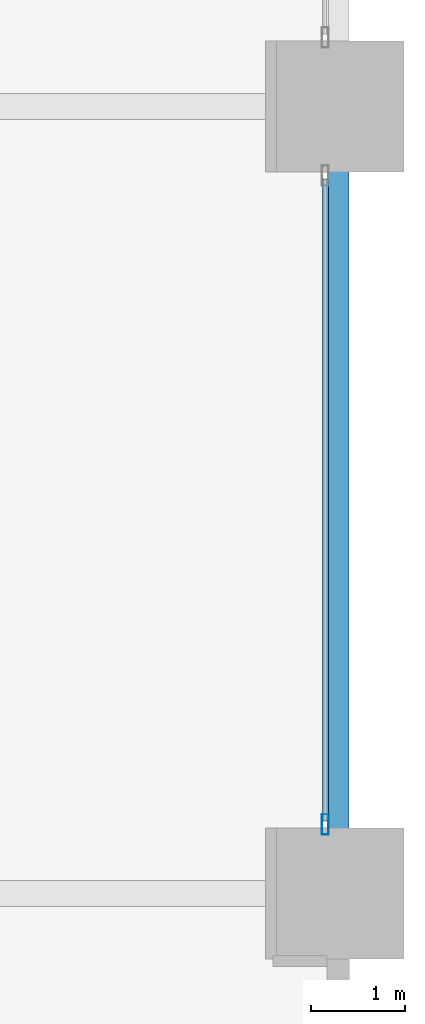
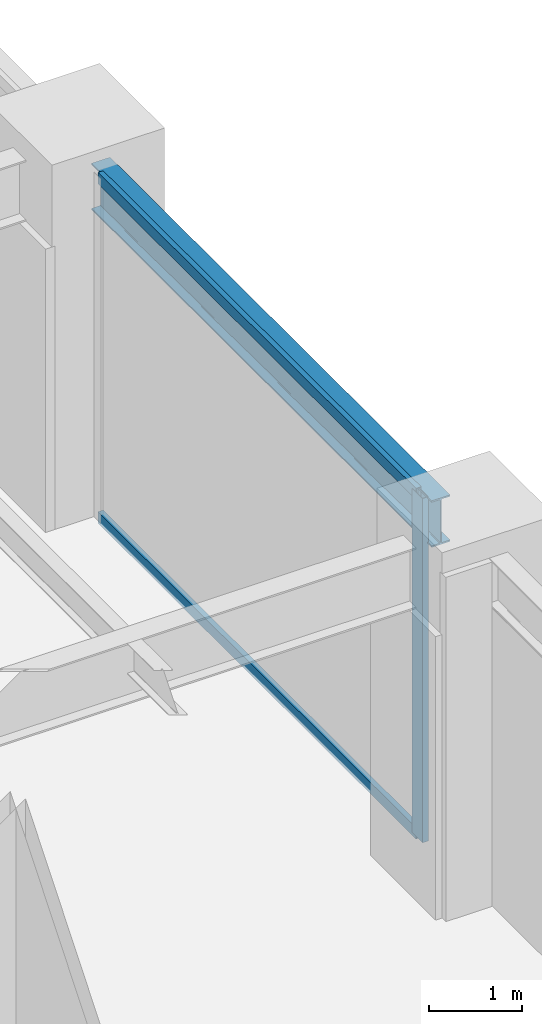
# One storey, part 6 of 24: 3 members, 1 beam, 1 element without a shape of its own.
"""IFC4 building model written with IfcOpenShell, lengths in metres."""

from ifc_helpers import new_model, si_unit, direction, frame, origin, origin_2d, place, context, subcontext, project, spatial, hollow_rectangle, i_section, extrude, material, layer, layer_set, material_profile, profile_set, type_object, element, aggregate, save


model = new_model("IFC4")

# Units and contexts
model_context = context("Model", 3, precision=1e-05, world=origin(), true_north=direction((0.0, 1.0)))
body_context = subcontext(model_context, "Body", "Model", "MODEL_VIEW")
ifc_project = project(units=[si_unit("LENGTHUNIT", "METRE"), si_unit("AREAUNIT", "SQUARE_METRE"), si_unit("VOLUMEUNIT", "CUBIC_METRE"), si_unit("PLANEANGLEUNIT", "RADIAN"), si_unit("MASSUNIT", "GRAM", prefix="KILO")], contexts=[model_context])

# Site, building, storey
site_placement = place(None, origin())
site = spatial("IfcSite", under=ifc_project, at=site_placement, CompositionType="ELEMENT")
building_placement = place(site_placement, origin())
building = spatial("IfcBuilding", under=site, at=building_placement, Name="Nerrivon Quay Data Exchange", CompositionType="ELEMENT")
storey_placement = place(building_placement, frame((0.0, 0.0, 10.199951171875)))
storey = spatial("IfcBuildingStorey", under=building, at=storey_placement, Name="L02", CompositionType="ELEMENT", Elevation=10.199951171875)

# Beam
ifc_material_1 = material(Name="Steel Grade 350", Category="steel")
ifc_material_profile_1 = material_profile(ifc_material_1, i_section(OverallWidth=0.22900390625, OverallDepth=0.612060546875, WebThickness=0.011962890625, FlangeThickness=0.01953125, FilletRadius=0.013916015625, at=origin_2d()), Name="610UB125")
ifc_profile_set_1 = profile_set([ifc_material_profile_1], Name="Steel Grade 350")
beam_type = type_object("IfcBeamType", Name="BM-G1-610UB125", PredefinedType="BEAM", material=ifc_profile_set_1)
beam_placement = place(storey_placement, frame((58.800048828125, 8.93994140625, 4.218994140625), z_axis=(0.0, 1.0, 0.0), x_axis=(-1.0, 0.0, 0.0)))
element("IfcBeam", 1, at=beam_placement, inside=storey, type_object=beam_type, Name="L02 NS Girder X=58.8 (8.4..16.8)", PredefinedType="BEAM", context=body_context, shape_type="SweptSolid", body=[
    extrude(i_section(OverallWidth=0.22900390625, OverallDepth=0.612060546875, WebThickness=0.011962890625, FlangeThickness=0.01953125, FilletRadius=0.013916015625, at=origin_2d()), origin(), (0.0, 0.0, 1.0), 7.320068359375),
])

# Curtain wall, members
ifc_material_2 = material(Name="Anodised aluminium 6063-T6", Category="aluminium")
ifc_layer = layer(ifc_material_2, 0.239990234375)
ifc_layer_set = layer_set([ifc_layer], Name="Anodised aluminium 6063-T6")
curtain_wall_type = type_object("IfcCurtainWallType", Name="CW-SYS-03", PredefinedType="NOTDEFINED", material=ifc_layer_set)
curtain_wall_placement = place(storey_placement, origin())
curtain_wall = element("IfcCurtainWall", 2, at=curtain_wall_placement, inside=storey, type_object=curtain_wall_type, Name="L02 Unitised Curtain Wall 18", PredefinedType="NOTDEFINED")
ifc_material_profile_2 = material_profile(ifc_material_2, hollow_rectangle(XDim=0.074951171875, YDim=0.219970703125, WallThickness=0.00390625, at=origin_2d()), Name="ALU-MULL-220x75")
ifc_profile_set_2 = profile_set([ifc_material_profile_2], Name="Anodised aluminium 6063-T6")
member_type_1 = type_object("IfcMemberType", Name="CWM-220x75", PredefinedType="MULLION", material=ifc_profile_set_2)
member_1_placement = place(storey_placement, frame((58.659912109375, 9.137451171875, 0.0), z_axis=(0.0, 0.0, 1.0), x_axis=(1.0, 0.0, 0.0)))
member_1 = element("IfcMember", 3, at=member_1_placement, type_object=member_type_1, Name="CW03 mullion 2", PredefinedType="MULLION", context=body_context, shape_type="SweptSolid", body=[
    extrude(hollow_rectangle(XDim=0.074951171875, YDim=0.219970703125, WallThickness=0.00390625, at=origin_2d()), origin(), (0.0, 0.0, 1.0), 4.525146484375),
])
ifc_material_profile_3 = material_profile(ifc_material_2, hollow_rectangle(XDim=0.06494140625, YDim=0.14990234375, WallThickness=0.00341796875, at=origin_2d()), Name="ALU-TRAN-150x65")
ifc_profile_set_3 = profile_set([ifc_material_profile_3], Name="Anodised aluminium 6063-T6")
member_type_2 = type_object("IfcMemberType", Name="CWT-150x65", PredefinedType="USERDEFINED", material=ifc_profile_set_3)
member_2_placement = place(storey_placement, frame((58.659912109375, 16.02490234375, 0.032470703125), z_axis=(0.0, -1.0, 0.0), x_axis=(1.0, 0.0, 0.0)))
member_2 = element("IfcMember", 4, at=member_2_placement, type_object=member_type_2, Name="CW03 transom 1.1", ObjectType="TRANSOM", PredefinedType="USERDEFINED", context=body_context, shape_type="SweptSolid", body=[
    extrude(hollow_rectangle(XDim=0.06494140625, YDim=0.14990234375, WallThickness=0.00341796875, at=origin_2d()), origin(), (0.0, 0.0, 1.0), 6.849853515625),
])
member_3_placement = place(storey_placement, frame((58.659912109375, 16.02490234375, 4.492431640625), z_axis=(0.0, -1.0, 0.0), x_axis=(1.0, 0.0, 0.0)))
member_3 = element("IfcMember", 5, at=member_3_placement, type_object=member_type_2, Name="CW03 transom 1.2", ObjectType="TRANSOM", PredefinedType="USERDEFINED", context=body_context, shape_type="SweptSolid", body=[
    extrude(hollow_rectangle(XDim=0.06494140625, YDim=0.14990234375, WallThickness=0.00341796875, at=origin_2d()), origin(), (0.0, 0.0, 1.0), 6.849853515625),
])
aggregate(curtain_wall, [member_1, member_2, member_3])

save(model, "model.ifc")
